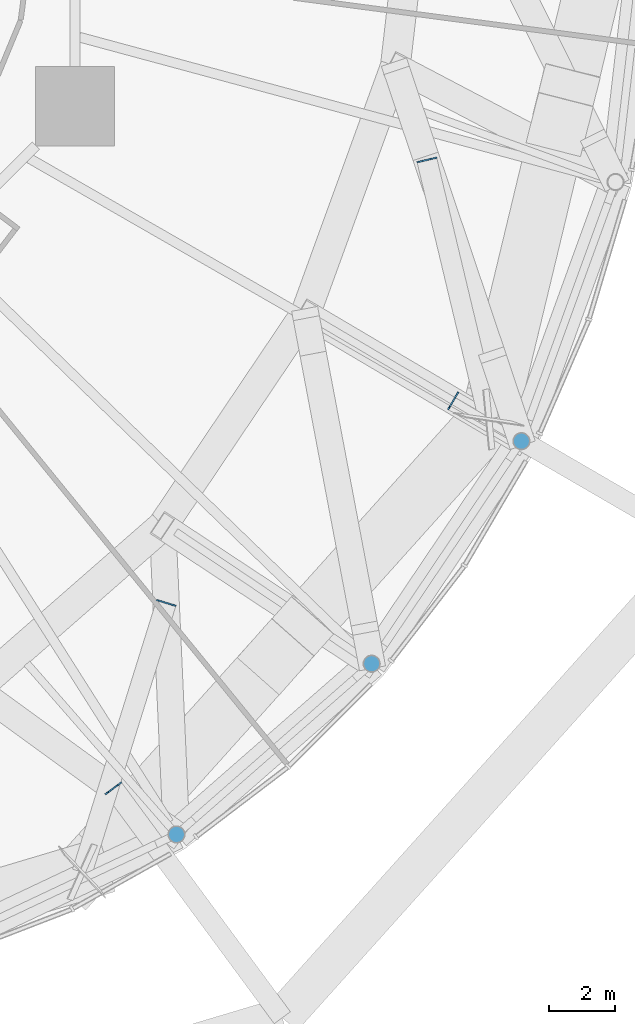
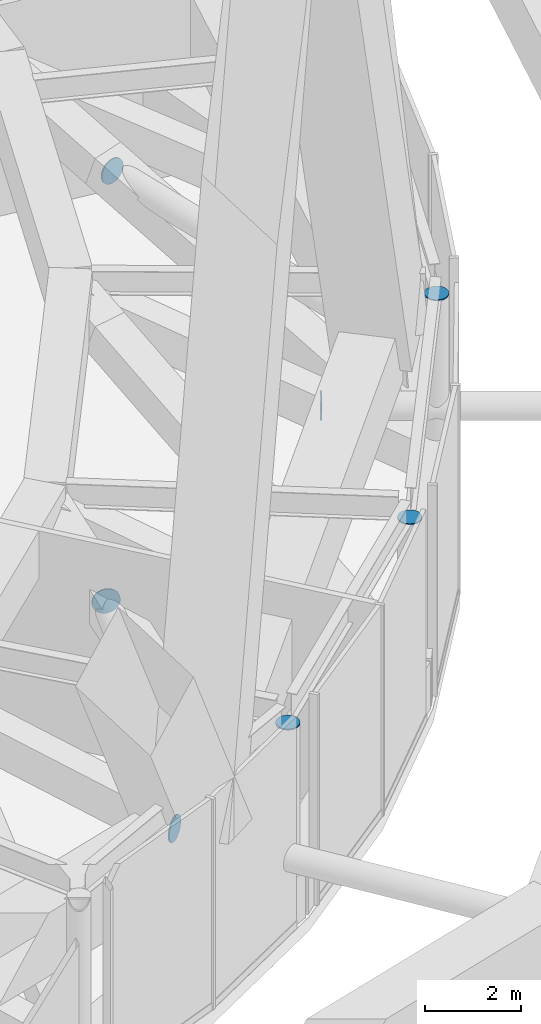
# One storey, part 45 of 51: 7 discrete accessories.
"""IFC4 building model written with IfcOpenShell, lengths in metres."""

from ifc_helpers import new_model, si_unit, direction, frame, origin, origin_2d, place, context, subcontext, project, spatial, circle, extrude, material, layer, layer_set, type_object, element, save


model = new_model("IFC4")

# Units and contexts
model_context = context("Model", 3, precision=1e-05, world=origin(), true_north=direction((0.0, 1.0)))
body_context = subcontext(model_context, "Body", "Model", "MODEL_VIEW")
ifc_project = project(units=[si_unit("LENGTHUNIT", "METRE"), si_unit("AREAUNIT", "SQUARE_METRE"), si_unit("VOLUMEUNIT", "CUBIC_METRE"), si_unit("PLANEANGLEUNIT", "RADIAN"), si_unit("MASSUNIT", "GRAM", prefix="KILO")], contexts=[model_context])

# Site, building, storey
site_placement = place(None, origin())
site = spatial("IfcSite", under=ifc_project, at=site_placement, CompositionType="ELEMENT")
building_placement = place(site_placement, origin())
building = spatial("IfcBuilding", under=site, at=building_placement, Name="Nagisa Residences", CompositionType="ELEMENT")
storey_placement = place(building_placement, frame((0.0, 0.0, 67.699951171875)))
storey = spatial("IfcBuildingStorey", under=building, at=storey_placement, Name="L16", CompositionType="ELEMENT", Elevation=67.699951171875)

# Discrete accessories
ifc_material_1 = material(Name="Steel ASTM A572 Gr 50", Category="steel")
ifc_layer_1 = layer(ifc_material_1, 0.030029296875)
ifc_layer_set_1 = layer_set([ifc_layer_1], Name="End plate")
discrete_accessory_type_1 = type_object("IfcDiscreteAccessoryType", Name="End plate", PredefinedType="ANCHORPLATE", material=ifc_layer_set_1)
for number, where, z_axis, x_axis, name in (
    (1, (17.85009765625, -28.145751953125, 4.737060546875), (0.0, 0.0, 1.0), (1.0, 0.0, 0.0), "End plate GP121"),
    (2, (23.75244140625, -22.98095703125, 4.737060546875), (0.0, 0.0, 1.0), (1.0, 0.0, 0.0), "End plate GP122"),
    (3, (28.28173828125, -16.25, 4.737060546875), (0.0, 0.0, 1.0), (1.0, 0.0, 0.0), "End plate GP123"),
):
    element("IfcDiscreteAccessory", number, at=place(storey_placement, frame(where, z_axis=z_axis, x_axis=x_axis)), inside=storey, type_object=discrete_accessory_type_1, Name=name, PredefinedType="ANCHORPLATE", context=body_context, shape_type="SweptSolid", body=[
        extrude(circle(Radius=0.25390625, at=origin_2d()), origin(), (0.0, 0.0, 1.0), 0.030029296875),
    ])
ifc_material_2 = material(Name="Steel ASTM A572 Gr 50", Category="steel")
ifc_layer_2 = layer(ifc_material_2, 0.030029296875)
ifc_layer_set_2 = layer_set([ifc_layer_2], Name="Node plate")
discrete_accessory_type_2 = type_object("IfcDiscreteAccessoryType", Name="Node plate", PredefinedType="ANCHORPLATE", material=ifc_layer_set_2)
for number, where, z_axis, x_axis, name in (
    (4, (15.949462890625, -26.762939453125, 1.900146484375), (-0.593476321419, 0.804851449595, 0.0), (-0.804851449595, -0.593476321419, 0.0), "Node plate ST1A11"),
    (5, (26.231201171875, -15.037841796875, 1.900146484375), (-0.863187603129, 0.504883315038, 0.0), (-0.504883315038, -0.863187603129, 0.0), "Node plate ST1A12"),
    (6, (17.535400390625, -21.15771484375, 3.699951171875), (0.29180664309, 0.956477330128, 0.0), (-0.956477330128, 0.29180664309, 0.0), "Node plate ST2B11"),
):
    element("IfcDiscreteAccessory", number, at=place(storey_placement, frame(where, z_axis=z_axis, x_axis=x_axis)), inside=storey, type_object=discrete_accessory_type_2, Name=name, PredefinedType="ANCHORPLATE", context=body_context, shape_type="SweptSolid", body=[
        extrude(circle(Radius=0.304931640625, at=origin_2d()), origin(), (0.0, 0.0, 1.0), 0.030029296875),
    ])
discrete_accessory_placement = place(storey_placement, frame((25.42626953125, -7.75830078125, 3.699951171875), z_axis=(-0.229039333726, 0.973417168334, 0.0), x_axis=(-0.973417168334, -0.229039333726, 0.0)))
element("IfcDiscreteAccessory", 7, at=discrete_accessory_placement, inside=storey, type_object=discrete_accessory_type_2, Name="Node plate ST2B12", PredefinedType="ANCHORPLATE", context=body_context, shape_type="SweptSolid", body=[
    extrude(circle(Radius=0.304931640625, at=origin_2d()), origin(), (0.0, 0.0, 1.0), 0.02978515625),
])

save(model, "model.ifc")
